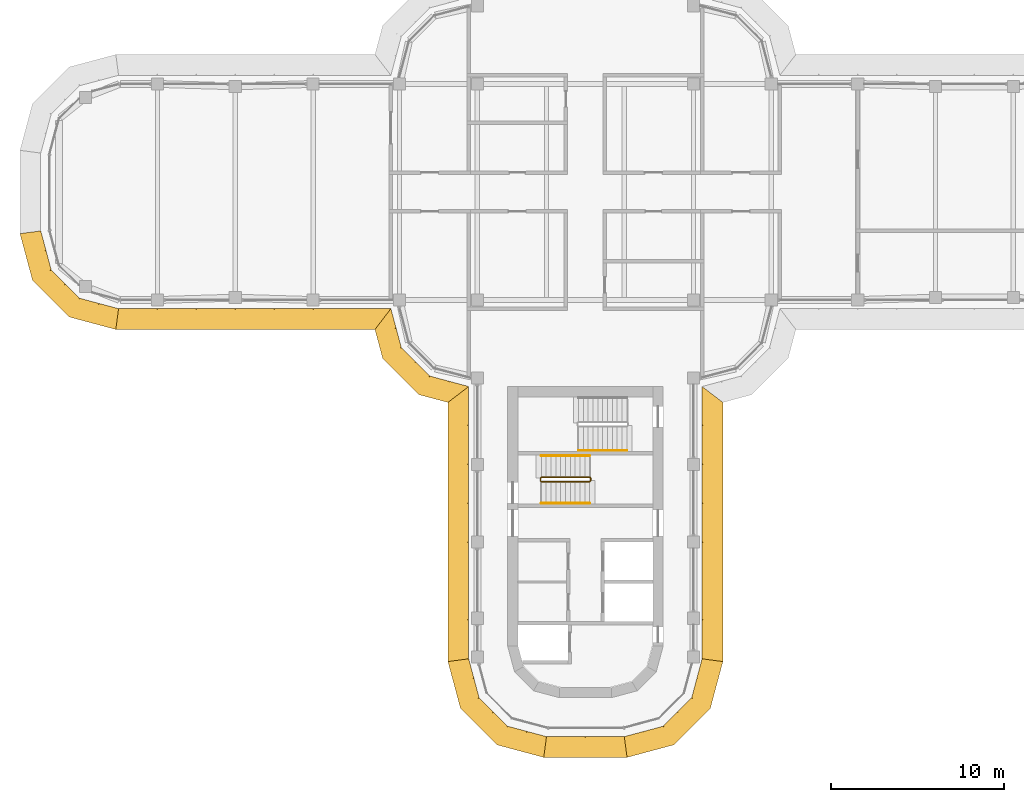
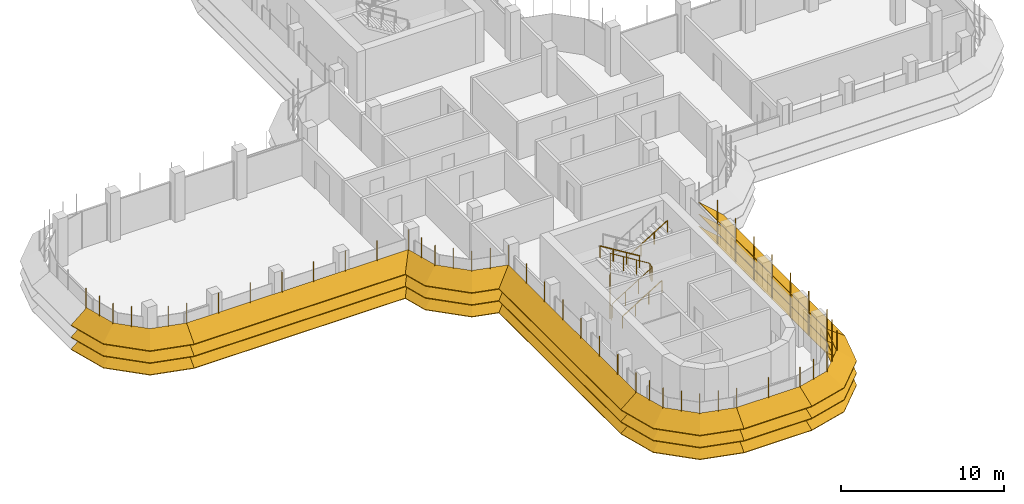
# One storey, part 16 of 19: 8 shading devices, 4 railings.
"""IFC4 building model written with IfcOpenShell, lengths in metres."""

import ifcopenshell
import ifcopenshell.guid

model = None  # the IFC model being written
_history = None  # IfcOwnerHistory: only IFC2X3 demands one
_inside = {}  # id of a spatial element -> (the spatial element, [elements in it])
_under = {}  # id of a project, library or spatial element -> (it, [spatial elements below it])
_declared = {}  # id of a project -> (the project, [libraries it declares])
_typed = {}  # id of a type object -> (the type object, [elements of that type])
_made_of = {}  # id of a material, layer set ... -> (it, [elements and type objects made of it])


def new_model(schema):
    """Start an empty IFC model of exactly this schema.

    Asked for "IFC4X3", IfcOpenShell would pick the latest addendum, in which some entities
    have other attributes; the version numbers below select the first issue.
    IFC2X3 requires an IfcOwnerHistory on every rooted entity: one is made here for all.
    """
    global model, _history
    if schema == "IFC4X3":
        model = ifcopenshell.file(schema_version=(4, 3, 0, 0))
    else:
        model = ifcopenshell.file(schema=schema)
    _inside.clear()
    _under.clear()
    _declared.clear()
    _typed.clear()
    _made_of.clear()
    _history = None
    if model.schema == "IFC2X3":
        org = make("IfcOrganization", Name="unknown")
        user = make(
            "IfcPersonAndOrganization",
            ThePerson=make("IfcPerson", FamilyName="unknown"),
            TheOrganization=org,
        )
        app = make(
            "IfcApplication",
            ApplicationDeveloper=org,
            Version="unknown",
            ApplicationFullName="unknown",
            ApplicationIdentifier="unknown",
        )
        _history = make(
            "IfcOwnerHistory",
            OwningUser=user,
            OwningApplication=app,
            ChangeAction="ADDED",
            CreationDate=0,
        )
    return model


def make(cls, **values):
    """One entity of the class cls with the attributes given. An attribute that is None is left unset."""
    return model.create_entity(
        cls, **{name: value for name, value in values.items() if value is not None}
    )


def rooted(cls, **values):
    """An entity with a GlobalId (a new one), such as an element, a storey or a relation."""
    return make(cls, GlobalId=ifcopenshell.guid.new(), OwnerHistory=_history, **values)


def si_unit(unit_type, name, prefix=None):
    """IfcSIUnit, for example si_unit("LENGTHUNIT", "METRE", prefix="MILLI")."""
    return make("IfcSIUnit", UnitType=unit_type, Prefix=prefix, Name=name)


def assignment(units):
    """IfcUnitAssignment: the units of a project."""
    return None if units is None else make("IfcUnitAssignment", Units=units)


def point(xyz):
    """IfcCartesianPoint."""
    return None if xyz is None else make("IfcCartesianPoint", Coordinates=xyz)


def direction(xyz):
    """IfcDirection."""
    return None if xyz is None else make("IfcDirection", DirectionRatios=xyz)


def frame(location, z_axis=None, x_axis=None):
    """IfcAxis2Placement3D, a coordinate frame: its origin and axes. An axis left out is left unset."""
    return make(
        "IfcAxis2Placement3D",
        Location=point(location),
        Axis=direction(z_axis),
        RefDirection=direction(x_axis),
    )


def frame_2d(location, x_axis=None):
    """IfcAxis2Placement2D, a coordinate frame in the plane: its origin and x axis."""
    return make(
        "IfcAxis2Placement2D", Location=point(location), RefDirection=direction(x_axis)
    )


def origin():
    """The frame at (0, 0, 0) with its axes left unset."""
    return frame((0.0, 0.0, 0.0))


def origin_2d():
    """The frame at (0, 0) in the plane with its x axis left unset."""
    return frame_2d((0.0, 0.0))


def place(relative_to, where):
    """IfcLocalPlacement: puts the frame where relative to a parent placement (None: the world)."""
    return make(
        "IfcLocalPlacement", PlacementRelTo=relative_to, RelativePlacement=where
    )


def context(
    kind, dimensions, precision=None, world=None, true_north=None, identifier=None
):
    """IfcGeometricRepresentationContext, for example the 3D "Model" context."""
    return make(
        "IfcGeometricRepresentationContext",
        ContextIdentifier=identifier,
        ContextType=kind,
        CoordinateSpaceDimension=dimensions,
        Precision=precision,
        WorldCoordinateSystem=world,
        TrueNorth=true_north,
    )


def subcontext(parent, identifier, kind, view, scale=None):
    """IfcGeometricRepresentationSubContext, for example "Body" below "Model"."""
    return make(
        "IfcGeometricRepresentationSubContext",
        ContextIdentifier=identifier,
        ContextType=kind,
        ParentContext=parent,
        TargetScale=scale,
        TargetView=view,
    )


def project(units=None, contexts=None):
    """IfcProject with its units and contexts."""
    return rooted(
        "IfcProject",
        Name="project",
        RepresentationContexts=contexts,
        UnitsInContext=assignment(units),
    )


def spatial(cls, under=None, at=None, **own):
    """A site, building, storey or space (cls), placed at a placement, below another one or the project."""
    s = rooted(cls, ObjectPlacement=at, **own)
    if under is not None:
        _under.setdefault(under.id(), (under, []))[1].append(s)
    return s


def polyline(points):
    """IfcPolyline through the points."""
    return make("IfcPolyline", Points=[point(p) for p in points])


def profile(cls, at=None, kind="AREA", **sizes):
    """A parametric profile (cls). Its sizes go by their IFC names, for example OverallWidth=200.0."""
    return make(cls, ProfileType=kind, Position=at, **sizes)


def circle(**sizes):
    """IfcCircleProfileDef."""
    return profile("IfcCircleProfileDef", **sizes)


def outline(outer, holes=None, kind="AREA"):
    """IfcArbitraryClosedProfileDef: a profile drawn as a closed curve; with holes, ...WithVoids."""
    if holes is None:
        return make("IfcArbitraryClosedProfileDef", ProfileType=kind, OuterCurve=outer)
    return make(
        "IfcArbitraryProfileDefWithVoids",
        ProfileType=kind,
        OuterCurve=outer,
        InnerCurves=holes,
    )


def extrude(swept, where, along, depth):
    """IfcExtrudedAreaSolid: the profile swept, set in the frame where, extruded along a direction by depth."""
    return make(
        "IfcExtrudedAreaSolid",
        SweptArea=swept,
        Position=where,
        ExtrudedDirection=direction(along),
        Depth=depth,
    )


def faces_of(points, faces, orient=None, outer=None):
    """IfcFace entities. A face is a list of loops; a loop is a list of indices into points, from 0.

    orient and outer hold one flag for each loop. By default every Orientation is true, the
    first loop of a face is its IfcFaceOuterBound and the others are IfcFaceBound.
    """
    made = []
    for i, loops in enumerate(faces):
        bounds = []
        for j, loop in enumerate(loops):
            is_outer = j == 0 if outer is None else outer[i][j]
            bounds.append(
                make(
                    "IfcFaceOuterBound" if is_outer else "IfcFaceBound",
                    Bound=make("IfcPolyLoop", Polygon=[points[k] for k in loop]),
                    Orientation=True if orient is None else orient[i][j],
                )
            )
        made.append(make("IfcFace", Bounds=bounds))
    return made


def faceted_brep(points, faces, orient=None, outer=None, voids=None):
    """IfcFacetedBrep: a solid bounded by flat faces; with voids (closed shells), ...WithVoids."""
    shared = [point(p) for p in points]
    hull = make("IfcClosedShell", CfsFaces=faces_of(shared, faces, orient, outer))
    if voids is None:
        return make("IfcFacetedBrep", Outer=hull)
    return make(
        "IfcFacetedBrepWithVoids",
        Outer=hull,
        Voids=[
            make(cls, CfsFaces=faces_of(shared, fs, o, b)) for cls, fs, o, b in voids
        ],
    )


def shape(context_of_items, identifier, shape_type, items):
    """IfcShapeRepresentation: the items that make up one representation, for example the "Body"."""
    return make(
        "IfcShapeRepresentation",
        ContextOfItems=context_of_items,
        RepresentationIdentifier=identifier,
        RepresentationType=shape_type,
        Items=items,
    )


def source(mapping_origin, context_of_items, identifier, shape_type, items):
    """IfcRepresentationMap: a shape defined once, which mapped items show again and again."""
    return make(
        "IfcRepresentationMap",
        MappingOrigin=mapping_origin,
        MappedRepresentation=shape(context_of_items, identifier, shape_type, items),
    )


def transform(
    local_origin,
    x_axis=None,
    y_axis=None,
    z_axis=None,
    scale=None,
    scale2=None,
    scale3=None,
    uniform=True,
):
    """IfcCartesianTransformationOperator3D, or its non-uniform kind. x_axis, y_axis, z_axis: its Axis1, 2, 3."""
    if uniform:
        return make(
            "IfcCartesianTransformationOperator3D",
            Axis1=direction(x_axis),
            Axis2=direction(y_axis),
            LocalOrigin=point(local_origin),
            Scale=scale,
            Axis3=direction(z_axis),
        )
    return make(
        "IfcCartesianTransformationOperator3DnonUniform",
        Axis1=direction(x_axis),
        Axis2=direction(y_axis),
        LocalOrigin=point(local_origin),
        Scale=scale,
        Axis3=direction(z_axis),
        Scale2=scale2,
        Scale3=scale3,
    )


def mapped(mapping_source, mapping_target):
    """IfcMappedItem: shows the shape of a source again, moved by a transform."""
    return make(
        "IfcMappedItem", MappingSource=mapping_source, MappingTarget=mapping_target
    )


def material(Name=None, Category=None):
    """IfcMaterial."""
    return make("IfcMaterial", Name=Name, Category=Category)


def made_of(thing, what):
    """Note that an element or type object is made of a material, layer set ...; save() writes the relation."""
    if what is not None:
        _made_of.setdefault(what.id(), (what, []))[1].append(thing)
    return thing


def type_object(cls, material=None, **own):
    """A type object (cls), such as IfcWallType, which elements share."""
    return made_of(rooted(cls, **own), material)


def element(
    cls,
    number,
    at=None,
    inside=None,
    cuts=None,
    type_object=None,
    material=None,
    context=None,
    identifier="Body",
    shape_type=None,
    held_by="IfcProductDefinitionShape",
    body=None,
    shapes=None,
    **own,
):
    """One element of the class cls, such as IfcWall. Its Tag is "e" and its number.

    at: its placement. inside: the storey or other place that contains it. cuts: it is an
    opening in that element (IfcRelVoidsElement). A single representation is given by context,
    identifier, shape_type and body (its items); several are given by shapes. held_by: the class
    of the entity that holds the representations. save() writes the other relations.
    """
    e = rooted(cls, Tag="e%d" % number, ObjectPlacement=at, **own)
    if body is not None:
        shapes = [shape(context, identifier, shape_type, body)]
    if shapes is not None:
        e.Representation = make(held_by, Representations=shapes)
    if inside is not None:
        _inside.setdefault(inside.id(), (inside, []))[1].append(e)
    if cuts is not None:
        rooted(
            "IfcRelVoidsElement", RelatingBuildingElement=cuts, RelatedOpeningElement=e
        )
    if type_object is not None:
        _typed.setdefault(type_object.id(), (type_object, []))[1].append(e)
    return made_of(e, material)


def aggregate(whole, parts):
    """IfcRelAggregates: a whole, such as a stair, and the parts it consists of."""
    return rooted("IfcRelAggregates", RelatingObject=whole, RelatedObjects=parts)


def save(model, path):
    """Write the relations noted so far, then the file.

    IfcRelAggregates (storeys below a building ...), IfcRelContainedInSpatialStructure (elements
    in a storey), IfcRelDefinesByType, IfcRelAssociatesMaterial and IfcRelDeclares: one each for
    every whole, place, type object, material and project.
    """
    for whole, parts in _under.values():
        aggregate(whole, parts)
    for where, things in _inside.values():
        rooted(
            "IfcRelContainedInSpatialStructure",
            RelatedElements=things,
            RelatingStructure=where,
        )
    for kind, things in _typed.values():
        rooted("IfcRelDefinesByType", RelatedObjects=things, RelatingType=kind)
    for what, things in _made_of.values():
        rooted("IfcRelAssociatesMaterial", RelatedObjects=things, RelatingMaterial=what)
    for by, libraries in _declared.values():
        rooted("IfcRelDeclares", RelatingContext=by, RelatedDefinitions=libraries)
    model.write(path)


model = new_model("IFC4")

# Units and contexts
model_context = context("Model", 3, precision=1e-05, world=origin(), true_north=direction((0.0, 1.0)))
body_context = subcontext(model_context, "Body", "Model", "MODEL_VIEW")
ifc_project = project(units=[si_unit("LENGTHUNIT", "METRE"), si_unit("AREAUNIT", "SQUARE_METRE"), si_unit("VOLUMEUNIT", "CUBIC_METRE"), si_unit("PLANEANGLEUNIT", "RADIAN"), si_unit("MASSUNIT", "GRAM", prefix="KILO")], contexts=[model_context])

# Site, building, storey
site_placement = place(None, origin())
site = spatial("IfcSite", under=ifc_project, at=site_placement, CompositionType="ELEMENT")
building_placement = place(site_placement, origin())
building = spatial("IfcBuilding", under=site, at=building_placement, Name="Zarbagh Exchange Tower", CompositionType="ELEMENT")
storey_placement = place(building_placement, frame((0.0, 0.0, 229.60009765625)))
storey = spatial("IfcBuildingStorey", under=building, at=storey_placement, Name="L56", CompositionType="ELEMENT", Elevation=229.60009765625)

# Railings
ifc_material_1 = material(Name="Stainless steel", Category="steel")
railing_type_1 = type_object("IfcRailingType", Name="Stair guard 1100 mm", PredefinedType="GUARDRAIL", material=ifc_material_1)
railing_1_placement = place(storey_placement, frame((-2.550048828125, -16.75, 0.172607421875)))
element("IfcRailing", 1, at=railing_1_placement, inside=storey, type_object=railing_type_1, Name="ST3 stair guard 1", PredefinedType="GUARDRAIL", context=body_context, shape_type="SweptSolid", body=[
    extrude(circle(Radius=0.02392578125, at=origin_2d()), frame((0.0, 0.0, 1.076171875), z_axis=(0.851089632645, 0.0, 0.525020415988), x_axis=(0.0, 1.0, 0.0)), (0.0, 0.0, 1.0), 3.2900390625),
    extrude(circle(Radius=0.02392578125, at=origin_2d()), frame((2.800048828125, 0.0, 2.80322265625), z_axis=(0.707106781187, 0.707106781187, 0.0), x_axis=(-0.707106781187, 0.707106781187, 0.0)), (0.0, 0.0, 1.0), 0.07080078125),
    extrude(circle(Radius=0.02392578125, at=origin_2d()), frame((2.85009765625, 0.050048828125, 2.80322265625), z_axis=(0.0, 1.0, 0.0), x_axis=(-1.0, 0.0, 0.0)), (0.0, 0.0, 1.0), 0.14990234375),
    extrude(circle(Radius=0.02392578125, at=origin_2d()), frame((2.85009765625, 0.199951171875, 2.80322265625), z_axis=(-0.268277960024, 0.268277960024, 0.925231793839), x_axis=(-0.707106781187, -0.707106781187, 0.0)), (0.0, 0.0, 1.0), 0.1865234375),
    extrude(circle(Radius=0.02392578125, at=origin_2d()), frame((2.800048828125, 0.25, 2.97607421875), z_axis=(-0.851089632645, 0.0, 0.525020415988), x_axis=(0.0, -1.0, 0.0)), (0.0, 0.0, 1.0), 3.2900390625),
    extrude(circle(Radius=0.02392578125, at=origin_2d()), frame((0.0, 0.25, 4.703125), z_axis=(-0.013169136761, -0.013169136761, -0.999826558796), x_axis=(0.707106781187, -0.707106781187, 0.0)), (0.0, 0.0, 1.0), 3.800537109375),
    extrude(circle(Radius=0.02392578125, at=origin_2d()), frame((-0.050048828125, 0.199951171875, 0.9033203125), z_axis=(0.0, -1.0, 0.0), x_axis=(1.0, 0.0, 0.0)), (0.0, 0.0, 1.0), 0.14990234375),
    extrude(circle(Radius=0.02099609375, at=origin_2d()), origin(), (0.0, 0.0, 1.0), 1.052001953125),
    extrude(circle(Radius=0.02099609375, at=origin_2d()), frame((0.933349609375, 0.0, 0.57568359375)), (0.0, 0.0, 1.0), 1.052001953125),
    extrude(circle(Radius=0.02099609375, at=origin_2d()), frame((1.86669921875, 0.0, 1.151611328125)), (0.0, 0.0, 1.0), 1.052001953125),
    extrude(circle(Radius=0.02099609375, at=origin_2d()), frame((2.800048828125, 0.0, 1.727294921875)), (0.0, 0.0, 1.0), 1.052001953125),
    extrude(circle(Radius=0.02099609375, at=origin_2d()), frame((2.85009765625, 0.050048828125, 1.727294921875)), (0.0, 0.0, 1.0), 1.052001953125),
    extrude(circle(Radius=0.02099609375, at=origin_2d()), frame((2.85009765625, 0.199951171875, 1.727294921875)), (0.0, 0.0, 1.0), 1.052001953125),
    extrude(circle(Radius=0.02099609375, at=origin_2d()), frame((2.800048828125, 0.25, 1.89990234375)), (0.0, 0.0, 1.0), 1.052001953125),
    extrude(circle(Radius=0.02099609375, at=origin_2d()), frame((1.86669921875, 0.25, 2.4755859375)), (0.0, 0.0, 1.0), 1.052001953125),
    extrude(circle(Radius=0.02099609375, at=origin_2d()), frame((0.933349609375, 0.25, 3.051513671875)), (0.0, 0.0, 1.0), 1.052001953125),
    extrude(circle(Radius=0.02099609375, at=origin_2d()), frame((0.0, 0.25, 3.627197265625)), (0.0, 0.0, 1.0), 1.052001953125),
    extrude(circle(Radius=0.02099609375, at=origin_2d()), frame((-0.012451171875, 0.237548828125, 2.67724609375)), (0.0, 0.0, 1.0), 1.052001953125),
    extrude(circle(Radius=0.02099609375, at=origin_2d()), frame((-0.02490234375, 0.22509765625, 1.727294921875)), (0.0, 0.0, 1.0), 1.052001953125),
    extrude(circle(Radius=0.02099609375, at=origin_2d()), frame((-0.03759765625, 0.21240234375, 0.77734375)), (0.0, 0.0, 1.0), 1.052001953125),
    extrude(circle(Radius=0.02099609375, at=origin_2d()), frame((-0.050048828125, 0.199951171875, -0.172607421875)), (0.0, 0.0, 1.0), 1.052001953125),
    extrude(circle(Radius=0.02099609375, at=origin_2d()), frame((-0.050048828125, 0.050048828125, -0.172607421875)), (0.0, 0.0, 1.0), 1.052001953125),
])
railing_type_2 = type_object("IfcRailingType", Name="Stair handrail 900 mm", PredefinedType="HANDRAIL", material=ifc_material_1)
railing_2_placement = place(storey_placement, frame((-2.550048828125, -18.0, 0.172607421875)))
element("IfcRailing", 2, at=railing_2_placement, inside=storey, type_object=railing_type_2, Name="ST3 stair handrail 1", PredefinedType="HANDRAIL", context=body_context, shape_type="SweptSolid", body=[
    extrude(circle(Radius=0.02392578125, at=origin_2d()), frame((0.0, 0.0, 0.8759765625), z_axis=(0.851089632645, 0.0, 0.525020415988), x_axis=(0.0, 1.0, 0.0)), (0.0, 0.0, 1.0), 3.2900390625),
    extrude(circle(Radius=0.02099609375, at=origin_2d()), origin(), (0.0, 0.0, 1.0), 0.851806640625),
    extrude(circle(Radius=0.02099609375, at=origin_2d()), frame((0.933349609375, 0.0, 0.57568359375)), (0.0, 0.0, 1.0), 0.851806640625),
    extrude(circle(Radius=0.02099609375, at=origin_2d()), frame((1.86669921875, 0.0, 1.151611328125)), (0.0, 0.0, 1.0), 0.851806640625),
    extrude(circle(Radius=0.02099609375, at=origin_2d()), frame((2.800048828125, 0.0, 1.727294921875)), (0.0, 0.0, 1.0), 0.851806640625),
])
railing_3_placement = place(storey_placement, frame((0.25, -15.25, 2.072509765625)))
element("IfcRailing", 3, at=railing_3_placement, inside=storey, type_object=railing_type_2, Name="ST3 stair handrail 2", PredefinedType="HANDRAIL", context=body_context, shape_type="SweptSolid", body=[
    extrude(circle(Radius=0.02392578125, at=origin_2d()), frame((0.0, 0.0, 0.8759765625), z_axis=(-0.851089632645, 0.0, 0.525020415988), x_axis=(0.0, -1.0, 0.0)), (0.0, 0.0, 1.0), 3.2900390625),
    extrude(circle(Radius=0.02099609375, at=origin_2d()), origin(), (0.0, 0.0, 1.0), 0.851806640625),
    extrude(circle(Radius=0.02099609375, at=origin_2d()), frame((-0.933349609375, 0.0, 0.57568359375)), (0.0, 0.0, 1.0), 0.851806640625),
    extrude(circle(Radius=0.02099609375, at=origin_2d()), frame((-1.86669921875, 0.0, 1.151611328125)), (0.0, 0.0, 1.0), 0.851806640625),
    extrude(circle(Radius=0.02099609375, at=origin_2d()), frame((-2.800048828125, 0.0, 1.727294921875)), (0.0, 0.0, 1.0), 0.851806640625),
])
railing_4_placement = place(storey_placement, frame((-0.39990234375, -14.949951171875, 2.072509765625)))
element("IfcRailing", 4, at=railing_4_placement, inside=storey, type_object=railing_type_2, Name="ST4 stair handrail 2", PredefinedType="HANDRAIL", context=body_context, shape_type="SweptSolid", body=[
    extrude(circle(Radius=0.02392578125, at=origin_2d()), frame((0.0, 0.0, 0.8759765625), z_axis=(0.851069175582, 0.0, 0.525053576669), x_axis=(0.0, 1.0, 0.0)), (0.0, 0.0, 1.0), 3.289794921875),
    extrude(circle(Radius=0.02099609375, at=origin_2d()), origin(), (0.0, 0.0, 1.0), 0.851806640625),
    extrude(circle(Radius=0.02099609375, at=origin_2d()), frame((0.933349609375, 0.0, 0.57568359375)), (0.0, 0.0, 1.0), 0.851806640625),
    extrude(circle(Radius=0.02099609375, at=origin_2d()), frame((1.866455078125, 0.0, 1.151611328125)), (0.0, 0.0, 1.0), 0.851806640625),
    extrude(circle(Radius=0.02099609375, at=origin_2d()), frame((2.7998046875, 0.0, 1.727294921875)), (0.0, 0.0, 1.0), 0.851806640625),
])

# Shading devices
ifc_material_2 = material(Name="Anodised aluminium blades and brackets", Category="aluminium")
shading_device_type = type_object("IfcShadingDeviceType", Name="SUNSHADE louvre band, 33.75 degree blades", PredefinedType="JALOUSIE", material=ifc_material_2)
shared_shape_1 = source(origin(), body_context, "Body", "Brep", [
    faceted_brep([(0.0, 0.0, 0.0), (0.0, 0.0, -0.048095703125), (-0.157958984375, -1.199951171875, -0.849853515625), (-0.157958984375, -1.199951171875, -0.8017578125), (2.65087890625, -1.199951171875, -0.8017578125), (2.65087890625, -1.199951171875, -0.849853515625), (2.329345703125, 0.0, -0.048095703125), (2.329345703125, 0.0, 0.0)], [[[0, 1, 2, 3]], [[4, 5, 6, 7]], [[0, 7, 6, 1]], [[1, 6, 5, 2]], [[2, 5, 4, 3]], [[3, 4, 7, 0]]]),
])
shared_shape_2 = source(origin(), body_context, "Body", "Brep", [
    faceted_brep([(0.0, 0.0, 0.0), (0.0, 0.0, -0.048095703125), (-0.321533203125, -1.199951171875, -0.849853515625), (-0.321533203125, -1.199951171875, -0.8017578125), (2.65087890625, -1.199951171875, -0.8017578125), (2.65087890625, -1.199951171875, -0.849853515625), (2.329345703125, 0.0, -0.048095703125), (2.329345703125, 0.0, 0.0)], [[[0, 1, 2, 3]], [[4, 5, 6, 7]], [[0, 7, 6, 1]], [[1, 6, 5, 2]], [[2, 5, 4, 3]], [[3, 4, 7, 0]]]),
])
shared_shape_3 = source(origin(), body_context, "Body", "Brep", [
    faceted_brep([(0.0, 0.0, 0.0), (0.0, 0.0, -0.048095703125), (-0.321533203125, -1.199951171875, -0.849853515625), (-0.321533203125, -1.199951171875, -0.8017578125), (2.4873046875, -1.199951171875, -0.8017578125), (2.4873046875, -1.199951171875, -0.849853515625), (2.329345703125, 0.0, -0.048095703125), (2.329345703125, 0.0, 0.0)], [[[0, 1, 2, 3]], [[4, 5, 6, 7]], [[0, 7, 6, 1]], [[1, 6, 5, 2]], [[2, 5, 4, 3]], [[3, 4, 7, 0]]]),
])
shared_shape_4 = source(origin(), body_context, "Body", "SweptSolid", [
    extrude(outline(polyline([(0.0, -0.012451171875), (0.06005859375, -0.012451171875), (0.06005859375, 0.012451171875), (0.0, 0.012451171875), (0.0, -0.012451171875)])), origin(), (0.0, 0.0, 1.0), 3.358154296875),
])
placement = place(storey_placement, origin())
element("IfcShadingDevice", 5, at=placement, inside=storey, type_object=shading_device_type, Name="SS35 sunshade band", PredefinedType="JALOUSIE", context=body_context, shape_type="MappedRepresentation", body=[
    mapped(shared_shape_1, transform((2.25, -31.5, 2.2998046875), x_axis=(0.965924289636, 0.258824779902, 0.0), y_axis=(-0.258824779902, 0.965924289636, 0.0), z_axis=(0.0, 0.0, 1.0))),
    mapped(shared_shape_1, transform((2.25, -31.5, 1.39990234375), x_axis=(0.965924289636, 0.258824779902, 0.0), y_axis=(-0.258824779902, 0.965924289636, 0.0), z_axis=(0.0, 0.0, 1.0))),
    mapped(shared_shape_1, transform((2.25, -31.5, 0.5), x_axis=(0.965924289636, 0.258824779902, 0.0), y_axis=(-0.258824779902, 0.965924289636, 0.0), z_axis=(0.0, 0.0, 1.0))),
    mapped(shared_shape_2, transform((4.5, -30.897216796875, 2.2998046875), x_axis=(0.707106781187, 0.707106781187, 0.0), y_axis=(-0.707106781187, 0.707106781187, 0.0), z_axis=(0.0, 0.0, 1.0))),
    mapped(shared_shape_2, transform((4.5, -30.897216796875, 1.39990234375), x_axis=(0.707106781187, 0.707106781187, 0.0), y_axis=(-0.707106781187, 0.707106781187, 0.0), z_axis=(0.0, 0.0, 1.0))),
    mapped(shared_shape_2, transform((4.5, -30.897216796875, 0.5), x_axis=(0.707106781187, 0.707106781187, 0.0), y_axis=(-0.707106781187, 0.707106781187, 0.0), z_axis=(0.0, 0.0, 1.0))),
    mapped(shared_shape_3, transform((6.147216796875, -29.25, 2.2998046875), x_axis=(0.258824779902, 0.965924289636, 0.0), y_axis=(-0.965924289636, 0.258824779902, 0.0), z_axis=(0.0, 0.0, 1.0))),
    mapped(shared_shape_3, transform((6.147216796875, -29.25, 1.39990234375), x_axis=(0.258824779902, 0.965924289636, 0.0), y_axis=(-0.965924289636, 0.258824779902, 0.0), z_axis=(0.0, 0.0, 1.0))),
    mapped(shared_shape_3, transform((6.147216796875, -29.25, 0.5), x_axis=(0.258824779902, 0.965924289636, 0.0), y_axis=(-0.965924289636, 0.258824779902, 0.0), z_axis=(0.0, 0.0, 1.0))),
    mapped(shared_shape_4, transform((2.25, -31.5, 0.421875), x_axis=(0.130529263012, -0.991444457092, 0.0), y_axis=(0.991444457092, 0.130529263012, 0.0), z_axis=(0.0, 0.0, 1.0))),
    mapped(shared_shape_4, transform((3.375, -31.198486328125, 0.421875), x_axis=(0.258825058029, -0.96592421511, 0.0), y_axis=(0.96592421511, 0.258825058029, 0.0), z_axis=(0.0, 0.0, 1.0))),
    mapped(shared_shape_4, transform((4.5, -30.897216796875, 0.421875), x_axis=(0.50000275701, -0.866023812018, 0.0), y_axis=(0.866023812018, 0.50000275701, 0.0), z_axis=(0.0, 0.0, 1.0))),
    mapped(shared_shape_4, transform((5.323486328125, -30.073486328125, 0.421875), x_axis=(0.707106781187, -0.707106781187, 0.0), y_axis=(0.707106781187, 0.707106781187, 0.0), z_axis=(0.0, 0.0, 1.0))),
    mapped(shared_shape_4, transform((6.147216796875, -29.25, 0.421875), x_axis=(0.866023812018, -0.50000275701, 0.0), y_axis=(0.50000275701, 0.866023812018, 0.0), z_axis=(0.0, 0.0, 1.0))),
    mapped(shared_shape_4, transform((6.448486328125, -28.125, 0.421875), x_axis=(0.96592421511, -0.258825058029, 0.0), y_axis=(0.258825058029, 0.96592421511, 0.0), z_axis=(0.0, 0.0, 1.0))),
])
element("IfcShadingDevice", 6, at=placement, inside=storey, type_object=shading_device_type, Name="SS43 sunshade band", PredefinedType="JALOUSIE", context=body_context, shape_type="MappedRepresentation", body=[
    mapped(shared_shape_1, transform((-31.5, -2.25, 2.2998046875), x_axis=(0.258824779902, -0.965924289636, 0.0), y_axis=(0.965924289636, 0.258824779902, 0.0), z_axis=(0.0, 0.0, 1.0))),
    mapped(shared_shape_1, transform((-31.5, -2.25, 1.39990234375), x_axis=(0.258824779902, -0.965924289636, 0.0), y_axis=(0.965924289636, 0.258824779902, 0.0), z_axis=(0.0, 0.0, 1.0))),
    mapped(shared_shape_1, transform((-31.5, -2.25, 0.5), x_axis=(0.258824779902, -0.965924289636, 0.0), y_axis=(0.965924289636, 0.258824779902, 0.0), z_axis=(0.0, 0.0, 1.0))),
    mapped(shared_shape_2, transform((-30.897216796875, -4.5, 2.2998046875), x_axis=(0.707106781187, -0.707106781187, 0.0), y_axis=(0.707106781187, 0.707106781187, 0.0), z_axis=(0.0, 0.0, 1.0))),
    mapped(shared_shape_2, transform((-30.897216796875, -4.5, 1.39990234375), x_axis=(0.707106781187, -0.707106781187, 0.0), y_axis=(0.707106781187, 0.707106781187, 0.0), z_axis=(0.0, 0.0, 1.0))),
    mapped(shared_shape_2, transform((-30.897216796875, -4.5, 0.5), x_axis=(0.707106781187, -0.707106781187, 0.0), y_axis=(0.707106781187, 0.707106781187, 0.0), z_axis=(0.0, 0.0, 1.0))),
    mapped(shared_shape_3, transform((-29.25, -6.147216796875, 2.2998046875), x_axis=(0.965924289636, -0.258824779902, 0.0), y_axis=(0.258824779902, 0.965924289636, 0.0), z_axis=(0.0, 0.0, 1.0))),
    mapped(shared_shape_3, transform((-29.25, -6.147216796875, 1.39990234375), x_axis=(0.965924289636, -0.258824779902, 0.0), y_axis=(0.258824779902, 0.965924289636, 0.0), z_axis=(0.0, 0.0, 1.0))),
    mapped(shared_shape_3, transform((-29.25, -6.147216796875, 0.5), x_axis=(0.965924289636, -0.258824779902, 0.0), y_axis=(0.258824779902, 0.965924289636, 0.0), z_axis=(0.0, 0.0, 1.0))),
    mapped(shared_shape_4, transform((-31.5, -2.25, 0.421875), x_axis=(-0.991444457092, -0.130529263012, 0.0), y_axis=(0.130529263012, -0.991444457092, 0.0), z_axis=(0.0, 0.0, 1.0))),
    mapped(shared_shape_4, transform((-31.198486328125, -3.375, 0.421875), x_axis=(-0.96592421511, -0.258825058029, 0.0), y_axis=(0.258825058029, -0.96592421511, 0.0), z_axis=(0.0, 0.0, 1.0))),
    mapped(shared_shape_4, transform((-30.897216796875, -4.5, 0.421875), x_axis=(-0.866023812018, -0.50000275701, 0.0), y_axis=(0.50000275701, -0.866023812018, 0.0), z_axis=(0.0, 0.0, 1.0))),
    mapped(shared_shape_4, transform((-30.073486328125, -5.323486328125, 0.421875), x_axis=(-0.707106781187, -0.707106781187, 0.0), y_axis=(0.707106781187, -0.707106781187, 0.0), z_axis=(0.0, 0.0, 1.0))),
    mapped(shared_shape_4, transform((-29.25, -6.147216796875, 0.421875), x_axis=(-0.50000275701, -0.866023812018, 0.0), y_axis=(0.866023812018, -0.50000275701, 0.0), z_axis=(0.0, 0.0, 1.0))),
    mapped(shared_shape_4, transform((-28.125, -6.448486328125, 0.421875), x_axis=(-0.258825058029, -0.96592421511, 0.0), y_axis=(0.96592421511, -0.258825058029, 0.0), z_axis=(0.0, 0.0, 1.0))),
])
element("IfcShadingDevice", 7, at=placement, inside=storey, type_object=shading_device_type, Name="SS38 sunshade band", PredefinedType="JALOUSIE", context=body_context, shape_type="MappedRepresentation", body=[
    mapped(shared_shape_1, transform((-6.75, -27.0, 2.2998046875), x_axis=(0.258824779902, -0.965924289636, 0.0), y_axis=(0.965924289636, 0.258824779902, 0.0), z_axis=(0.0, 0.0, 1.0))),
    mapped(shared_shape_1, transform((-6.75, -27.0, 1.39990234375), x_axis=(0.258824779902, -0.965924289636, 0.0), y_axis=(0.965924289636, 0.258824779902, 0.0), z_axis=(0.0, 0.0, 1.0))),
    mapped(shared_shape_1, transform((-6.75, -27.0, 0.5), x_axis=(0.258824779902, -0.965924289636, 0.0), y_axis=(0.965924289636, 0.258824779902, 0.0), z_axis=(0.0, 0.0, 1.0))),
    mapped(shared_shape_2, transform((-6.147216796875, -29.25, 2.2998046875), x_axis=(0.707106781187, -0.707106781187, 0.0), y_axis=(0.707106781187, 0.707106781187, 0.0), z_axis=(0.0, 0.0, 1.0))),
    mapped(shared_shape_2, transform((-6.147216796875, -29.25, 1.39990234375), x_axis=(0.707106781187, -0.707106781187, 0.0), y_axis=(0.707106781187, 0.707106781187, 0.0), z_axis=(0.0, 0.0, 1.0))),
    mapped(shared_shape_2, transform((-6.147216796875, -29.25, 0.5), x_axis=(0.707106781187, -0.707106781187, 0.0), y_axis=(0.707106781187, 0.707106781187, 0.0), z_axis=(0.0, 0.0, 1.0))),
    mapped(shared_shape_3, transform((-4.5, -30.897216796875, 2.2998046875), x_axis=(0.965924289636, -0.258824779902, 0.0), y_axis=(0.258824779902, 0.965924289636, 0.0), z_axis=(0.0, 0.0, 1.0))),
    mapped(shared_shape_3, transform((-4.5, -30.897216796875, 1.39990234375), x_axis=(0.965924289636, -0.258824779902, 0.0), y_axis=(0.258824779902, 0.965924289636, 0.0), z_axis=(0.0, 0.0, 1.0))),
    mapped(shared_shape_3, transform((-4.5, -30.897216796875, 0.5), x_axis=(0.965924289636, -0.258824779902, 0.0), y_axis=(0.258824779902, 0.965924289636, 0.0), z_axis=(0.0, 0.0, 1.0))),
    mapped(shared_shape_4, transform((-6.75, -27.0, 0.421875), x_axis=(-0.991444457092, -0.130529263012, 0.0), y_axis=(0.130529263012, -0.991444457092, 0.0), z_axis=(0.0, 0.0, 1.0))),
    mapped(shared_shape_4, transform((-6.448486328125, -28.125, 0.421875), x_axis=(-0.96592421511, -0.258825058029, 0.0), y_axis=(0.258825058029, -0.96592421511, 0.0), z_axis=(0.0, 0.0, 1.0))),
    mapped(shared_shape_4, transform((-6.147216796875, -29.25, 0.421875), x_axis=(-0.866023812018, -0.50000275701, 0.0), y_axis=(0.50000275701, -0.866023812018, 0.0), z_axis=(0.0, 0.0, 1.0))),
    mapped(shared_shape_4, transform((-5.323486328125, -30.073486328125, 0.421875), x_axis=(-0.707106781187, -0.707106781187, 0.0), y_axis=(0.707106781187, -0.707106781187, 0.0), z_axis=(0.0, 0.0, 1.0))),
    mapped(shared_shape_4, transform((-4.5, -30.897216796875, 0.421875), x_axis=(-0.50000275701, -0.866023812018, 0.0), y_axis=(0.866023812018, -0.50000275701, 0.0), z_axis=(0.0, 0.0, 1.0))),
    mapped(shared_shape_4, transform((-3.375, -31.198486328125, 0.421875), x_axis=(-0.258825058029, -0.96592421511, 0.0), y_axis=(0.96592421511, -0.258825058029, 0.0), z_axis=(0.0, 0.0, 1.0))),
])
shared_shape_5 = source(origin(), body_context, "Body", "Brep", [
    faceted_brep([(0.0, 0.0, 0.0), (0.0, 0.0, -0.048095703125), (0.9208984375, -1.199951171875, -0.849853515625), (0.9208984375, -1.199951171875, -0.8017578125), (2.65087890625, -1.199951171875, -0.8017578125), (2.65087890625, -1.199951171875, -0.849853515625), (2.329345703125, 0.0, -0.048095703125), (2.329345703125, 0.0, 0.0)], [[[0, 1, 2, 3]], [[4, 5, 6, 7]], [[0, 7, 6, 1]], [[1, 6, 5, 2]], [[2, 5, 4, 3]], [[3, 4, 7, 0]]]),
])
shared_shape_6 = source(origin(), body_context, "Body", "Brep", [
    faceted_brep([(0.0, 0.0, 0.0), (0.0, 0.0, -0.048095703125), (-0.321533203125, -1.199951171875, -0.849853515625), (-0.321533203125, -1.199951171875, -0.8017578125), (1.40869140625, -1.199951171875, -0.8017578125), (1.40869140625, -1.199951171875, -0.849853515625), (2.329345703125, 0.0, -0.048095703125), (2.329345703125, 0.0, 0.0)], [[[0, 1, 2, 3]], [[4, 5, 6, 7]], [[0, 7, 6, 1]], [[1, 6, 5, 2]], [[2, 5, 4, 3]], [[3, 4, 7, 0]]]),
])
element("IfcShadingDevice", 8, at=placement, inside=storey, type_object=shading_device_type, Name="SS21 sunshade band", PredefinedType="JALOUSIE", context=body_context, shape_type="MappedRepresentation", body=[
    mapped(shared_shape_5, transform((-11.25, -6.75, 2.2998046875), x_axis=(0.258824779902, -0.965924289636, 0.0), y_axis=(0.965924289636, 0.258824779902, 0.0), z_axis=(0.0, 0.0, 1.0))),
    mapped(shared_shape_5, transform((-11.25, -6.75, 1.39990234375), x_axis=(0.258824779902, -0.965924289636, 0.0), y_axis=(0.965924289636, 0.258824779902, 0.0), z_axis=(0.0, 0.0, 1.0))),
    mapped(shared_shape_5, transform((-11.25, -6.75, 0.5), x_axis=(0.258824779902, -0.965924289636, 0.0), y_axis=(0.965924289636, 0.258824779902, 0.0), z_axis=(0.0, 0.0, 1.0))),
    mapped(shared_shape_2, transform((-10.647216796875, -9.0, 2.2998046875), x_axis=(0.707106781187, -0.707106781187, 0.0), y_axis=(0.707106781187, 0.707106781187, 0.0), z_axis=(0.0, 0.0, 1.0))),
    mapped(shared_shape_2, transform((-10.647216796875, -9.0, 1.39990234375), x_axis=(0.707106781187, -0.707106781187, 0.0), y_axis=(0.707106781187, 0.707106781187, 0.0), z_axis=(0.0, 0.0, 1.0))),
    mapped(shared_shape_2, transform((-10.647216796875, -9.0, 0.5), x_axis=(0.707106781187, -0.707106781187, 0.0), y_axis=(0.707106781187, 0.707106781187, 0.0), z_axis=(0.0, 0.0, 1.0))),
    mapped(shared_shape_6, transform((-9.0, -10.647216796875, 2.2998046875), x_axis=(0.965924289636, -0.258824779902, 0.0), y_axis=(0.258824779902, 0.965924289636, 0.0), z_axis=(0.0, 0.0, 1.0))),
    mapped(shared_shape_6, transform((-9.0, -10.647216796875, 1.39990234375), x_axis=(0.965924289636, -0.258824779902, 0.0), y_axis=(0.258824779902, 0.965924289636, 0.0), z_axis=(0.0, 0.0, 1.0))),
    mapped(shared_shape_6, transform((-9.0, -10.647216796875, 0.5), x_axis=(0.965924289636, -0.258824779902, 0.0), y_axis=(0.258824779902, 0.965924289636, 0.0), z_axis=(0.0, 0.0, 1.0))),
    mapped(shared_shape_4, transform((-11.25, -6.75, 0.421875), x_axis=(-0.608758892, -0.793355287, 0.0), y_axis=(0.793355287, -0.608758892, 0.0), z_axis=(0.0, 0.0, 1.0))),
    mapped(shared_shape_4, transform((-10.948486328125, -7.875, 0.421875), x_axis=(-0.96592421511, -0.258825058029, 0.0), y_axis=(0.258825058029, -0.96592421511, 0.0), z_axis=(0.0, 0.0, 1.0))),
    mapped(shared_shape_4, transform((-10.647216796875, -9.0, 0.421875), x_axis=(-0.866023812018, -0.50000275701, 0.0), y_axis=(0.50000275701, -0.866023812018, 0.0), z_axis=(0.0, 0.0, 1.0))),
    mapped(shared_shape_4, transform((-9.823486328125, -9.823486328125, 0.421875), x_axis=(-0.707106781187, -0.707106781187, 0.0), y_axis=(0.707106781187, -0.707106781187, 0.0), z_axis=(0.0, 0.0, 1.0))),
    mapped(shared_shape_4, transform((-9.0, -10.647216796875, 0.421875), x_axis=(-0.50000275701, -0.866023812018, 0.0), y_axis=(0.866023812018, -0.50000275701, 0.0), z_axis=(0.0, 0.0, 1.0))),
    mapped(shared_shape_4, transform((-7.875, -10.948486328125, 0.421875), x_axis=(-0.258825058029, -0.96592421511, 0.0), y_axis=(0.96592421511, -0.258825058029, 0.0), z_axis=(0.0, 0.0, 1.0))),
])
shared_shape_7 = source(origin(), body_context, "Body", "Brep", [
    faceted_brep([(0.0, 0.0, 0.0), (0.0, 0.0, -0.048095703125), (-0.157958984375, -1.199951171875, -0.849853515625), (-0.157958984375, -1.199951171875, -0.8017578125), (14.8291015625, -1.199951171875, -0.8017578125), (14.8291015625, -1.199951171875, -0.849853515625), (15.75, 0.0, -0.048095703125), (15.75, 0.0, 0.0)], [[[0, 1, 2, 3]], [[4, 5, 6, 7]], [[0, 7, 6, 1]], [[1, 6, 5, 2]], [[2, 5, 4, 3]], [[3, 4, 7, 0]]]),
])
element("IfcShadingDevice", 9, at=placement, inside=storey, type_object=shading_device_type, Name="SS36 sunshade band", PredefinedType="JALOUSIE", context=body_context, shape_type="MappedRepresentation", body=[
    mapped(shared_shape_7, transform((6.75, -27.0, 2.2998046875), x_axis=(0.0, 1.0, 0.0), y_axis=(-1.0, 0.0, 0.0), z_axis=(0.0, 0.0, 1.0))),
    mapped(shared_shape_7, transform((6.75, -27.0, 1.39990234375), x_axis=(0.0, 1.0, 0.0), y_axis=(-1.0, 0.0, 0.0), z_axis=(0.0, 0.0, 1.0))),
    mapped(shared_shape_7, transform((6.75, -27.0, 0.5), x_axis=(0.0, 1.0, 0.0), y_axis=(-1.0, 0.0, 0.0), z_axis=(0.0, 0.0, 1.0))),
    mapped(shared_shape_4, transform((6.75, -27.0, 0.421875), x_axis=(0.991444457092, -0.130529263012, 0.0), y_axis=(0.130529263012, 0.991444457092, 0.0), z_axis=(0.0, 0.0, 1.0))),
    mapped(shared_shape_4, transform((6.75, -24.75, 0.421875), x_axis=(1.0, 0.0, 0.0), y_axis=(0.0, 1.0, 0.0), z_axis=(0.0, 0.0, 1.0))),
    mapped(shared_shape_4, transform((6.75, -22.5, 0.421875), x_axis=(1.0, 0.0, 0.0), y_axis=(0.0, 1.0, 0.0), z_axis=(0.0, 0.0, 1.0))),
    mapped(shared_shape_4, transform((6.75, -20.25, 0.421875), x_axis=(1.0, 0.0, 0.0), y_axis=(0.0, 1.0, 0.0), z_axis=(0.0, 0.0, 1.0))),
    mapped(shared_shape_4, transform((6.75, -18.0, 0.421875), x_axis=(1.0, 0.0, 0.0), y_axis=(0.0, 1.0, 0.0), z_axis=(0.0, 0.0, 1.0))),
    mapped(shared_shape_4, transform((6.75, -15.75, 0.421875), x_axis=(1.0, 0.0, 0.0), y_axis=(0.0, 1.0, 0.0), z_axis=(0.0, 0.0, 1.0))),
    mapped(shared_shape_4, transform((6.75, -13.5, 0.421875), x_axis=(1.0, 0.0, 0.0), y_axis=(0.0, 1.0, 0.0), z_axis=(0.0, 0.0, 1.0))),
])
element("IfcShadingDevice", 10, at=placement, inside=storey, type_object=shading_device_type, Name="SS44 sunshade band", PredefinedType="JALOUSIE", context=body_context, shape_type="MappedRepresentation", body=[
    mapped(shared_shape_7, transform((-27.0, -6.75, 2.2998046875), x_axis=(1.0, 0.0, 0.0), y_axis=(0.0, 1.0, 0.0), z_axis=(0.0, 0.0, 1.0))),
    mapped(shared_shape_7, transform((-27.0, -6.75, 1.39990234375), x_axis=(1.0, 0.0, 0.0), y_axis=(0.0, 1.0, 0.0), z_axis=(0.0, 0.0, 1.0))),
    mapped(shared_shape_7, transform((-27.0, -6.75, 0.5), x_axis=(1.0, 0.0, 0.0), y_axis=(0.0, 1.0, 0.0), z_axis=(0.0, 0.0, 1.0))),
    mapped(shared_shape_4, transform((-27.0, -6.75, 0.421875), x_axis=(-0.130529263012, -0.991444457092, 0.0), y_axis=(0.991444457092, -0.130529263012, 0.0), z_axis=(0.0, 0.0, 1.0))),
    mapped(shared_shape_4, transform((-24.75, -6.75, 0.421875), x_axis=(0.0, -1.0, 0.0), y_axis=(1.0, 0.0, 0.0), z_axis=(0.0, 0.0, 1.0))),
    mapped(shared_shape_4, transform((-22.5, -6.75, 0.421875), x_axis=(0.0, -1.0, 0.0), y_axis=(1.0, 0.0, 0.0), z_axis=(0.0, 0.0, 1.0))),
    mapped(shared_shape_4, transform((-20.25, -6.75, 0.421875), x_axis=(0.0, -1.0, 0.0), y_axis=(1.0, 0.0, 0.0), z_axis=(0.0, 0.0, 1.0))),
    mapped(shared_shape_4, transform((-18.0, -6.75, 0.421875), x_axis=(0.0, -1.0, 0.0), y_axis=(1.0, 0.0, 0.0), z_axis=(0.0, 0.0, 1.0))),
    mapped(shared_shape_4, transform((-15.75, -6.75, 0.421875), x_axis=(0.0, -1.0, 0.0), y_axis=(1.0, 0.0, 0.0), z_axis=(0.0, 0.0, 1.0))),
    mapped(shared_shape_4, transform((-13.5, -6.75, 0.421875), x_axis=(0.0, -1.0, 0.0), y_axis=(1.0, 0.0, 0.0), z_axis=(0.0, 0.0, 1.0))),
])
shared_shape_8 = source(origin(), body_context, "Body", "Brep", [
    faceted_brep([(0.0, 0.0, 0.0), (0.0, 0.0, -0.048095703125), (0.9208984375, -1.199951171875, -0.849853515625), (0.9208984375, -1.199951171875, -0.8017578125), (15.907958984375, -1.199951171875, -0.8017578125), (15.907958984375, -1.199951171875, -0.849853515625), (15.75, 0.0, -0.048095703125), (15.75, 0.0, 0.0)], [[[0, 1, 2, 3]], [[4, 5, 6, 7]], [[0, 7, 6, 1]], [[1, 6, 5, 2]], [[2, 5, 4, 3]], [[3, 4, 7, 0]]]),
])
element("IfcShadingDevice", 11, at=placement, inside=storey, type_object=shading_device_type, Name="SS37 sunshade band", PredefinedType="JALOUSIE", context=body_context, shape_type="MappedRepresentation", body=[
    mapped(shared_shape_8, transform((-6.75, -11.25, 2.2998046875), x_axis=(0.0, -1.0, 0.0), y_axis=(1.0, 0.0, 0.0), z_axis=(0.0, 0.0, 1.0))),
    mapped(shared_shape_8, transform((-6.75, -11.25, 1.39990234375), x_axis=(0.0, -1.0, 0.0), y_axis=(1.0, 0.0, 0.0), z_axis=(0.0, 0.0, 1.0))),
    mapped(shared_shape_8, transform((-6.75, -11.25, 0.5), x_axis=(0.0, -1.0, 0.0), y_axis=(1.0, 0.0, 0.0), z_axis=(0.0, 0.0, 1.0))),
    mapped(shared_shape_4, transform((-6.75, -11.25, 0.421875), x_axis=(-0.793355287, -0.608758892, 0.0), y_axis=(0.608758892, -0.793355287, 0.0), z_axis=(0.0, 0.0, 1.0))),
    mapped(shared_shape_4, transform((-6.75, -13.5, 0.421875), x_axis=(-1.0, 0.0, 0.0), y_axis=(0.0, -1.0, 0.0), z_axis=(0.0, 0.0, 1.0))),
    mapped(shared_shape_4, transform((-6.75, -15.75, 0.421875), x_axis=(-1.0, 0.0, 0.0), y_axis=(0.0, -1.0, 0.0), z_axis=(0.0, 0.0, 1.0))),
    mapped(shared_shape_4, transform((-6.75, -18.0, 0.421875), x_axis=(-1.0, 0.0, 0.0), y_axis=(0.0, -1.0, 0.0), z_axis=(0.0, 0.0, 1.0))),
    mapped(shared_shape_4, transform((-6.75, -20.25, 0.421875), x_axis=(-1.0, 0.0, 0.0), y_axis=(0.0, -1.0, 0.0), z_axis=(0.0, 0.0, 1.0))),
    mapped(shared_shape_4, transform((-6.75, -22.5, 0.421875), x_axis=(-1.0, 0.0, 0.0), y_axis=(0.0, -1.0, 0.0), z_axis=(0.0, 0.0, 1.0))),
    mapped(shared_shape_4, transform((-6.75, -24.75, 0.421875), x_axis=(-1.0, 0.0, 0.0), y_axis=(0.0, -1.0, 0.0), z_axis=(0.0, 0.0, 1.0))),
])
shared_shape_9 = source(origin(), body_context, "Body", "Brep", [
    faceted_brep([(0.0, 0.0, 0.0), (0.0, 0.0, -0.048095703125), (-0.157958984375, -1.199951171875, -0.849853515625), (-0.157958984375, -1.199951171875, -0.8017578125), (4.657958984375, -1.199951171875, -0.8017578125), (4.657958984375, -1.199951171875, -0.849853515625), (4.5, 0.0, -0.048095703125), (4.5, 0.0, 0.0)], [[[0, 1, 2, 3]], [[4, 5, 6, 7]], [[0, 7, 6, 1]], [[1, 6, 5, 2]], [[2, 5, 4, 3]], [[3, 4, 7, 0]]]),
])
element("IfcShadingDevice", 12, at=placement, inside=storey, type_object=shading_device_type, Name="SS39 sunshade band", PredefinedType="JALOUSIE", context=body_context, shape_type="MappedRepresentation", body=[
    mapped(shared_shape_9, transform((-2.25, -31.5, 2.2998046875), x_axis=(1.0, 0.0, 0.0), y_axis=(0.0, 1.0, 0.0), z_axis=(0.0, 0.0, 1.0))),
    mapped(shared_shape_9, transform((-2.25, -31.5, 1.39990234375), x_axis=(1.0, 0.0, 0.0), y_axis=(0.0, 1.0, 0.0), z_axis=(0.0, 0.0, 1.0))),
    mapped(shared_shape_9, transform((-2.25, -31.5, 0.5), x_axis=(1.0, 0.0, 0.0), y_axis=(0.0, 1.0, 0.0), z_axis=(0.0, 0.0, 1.0))),
    mapped(shared_shape_4, transform((-2.25, -31.5, 0.421875), x_axis=(-0.130529263012, -0.991444457092, 0.0), y_axis=(0.991444457092, -0.130529263012, 0.0), z_axis=(0.0, 0.0, 1.0))),
    mapped(shared_shape_4, transform((0.0, -31.5, 0.421875), x_axis=(0.0, -1.0, 0.0), y_axis=(1.0, 0.0, 0.0), z_axis=(0.0, 0.0, 1.0))),
])

save(model, "model.ifc")
